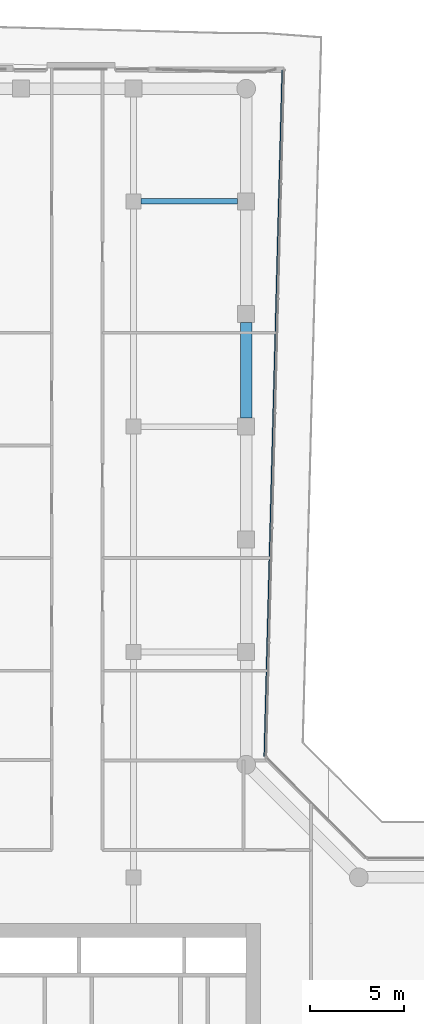
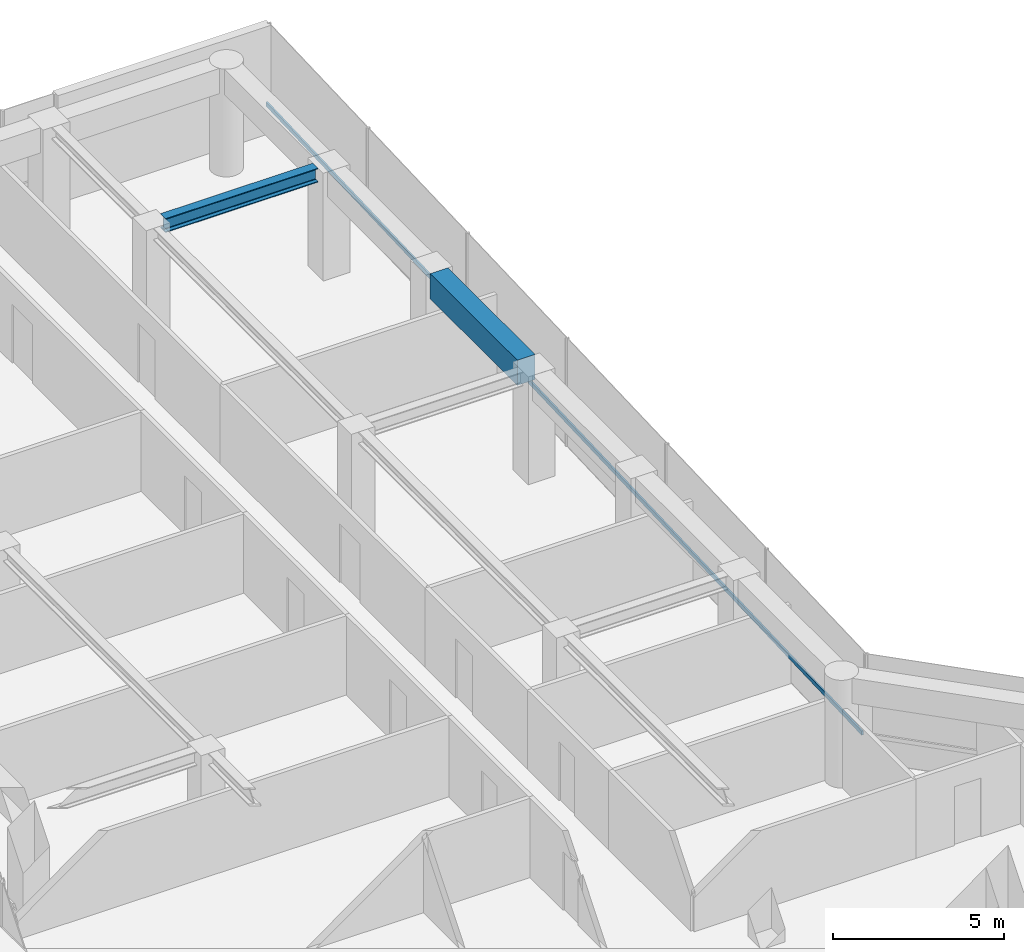
# One storey, part 14 of 23: 2 beams, 1 member, 1 element without a shape of its own.
"""IFC4 building model written with IfcOpenShell, lengths in metres."""

from ifc_helpers import new_model, si_unit, direction, frame, origin, origin_2d, place, context, subcontext, project, spatial, rectangle, i_section, extrude, material, layer, layer_set, material_profile, profile_set, type_object, element, aggregate, save


model = new_model("IFC4")

# Units and contexts
model_context = context("Model", 3, precision=1e-05, world=origin(), true_north=direction((0.0, 1.0)))
body_context = subcontext(model_context, "Body", "Model", "MODEL_VIEW")
ifc_project = project(units=[si_unit("LENGTHUNIT", "METRE"), si_unit("AREAUNIT", "SQUARE_METRE"), si_unit("VOLUMEUNIT", "CUBIC_METRE"), si_unit("PLANEANGLEUNIT", "RADIAN"), si_unit("MASSUNIT", "GRAM", prefix="KILO")], contexts=[model_context])

# Site, building, storey
site_placement = place(None, origin())
site = spatial("IfcSite", under=ifc_project, at=site_placement, CompositionType="ELEMENT")
building_placement = place(site_placement, origin())
building = spatial("IfcBuilding", under=site, at=building_placement, Name="Welwitschia Terrace Campus", CompositionType="ELEMENT")
storey_placement = place(building_placement, frame((0.0, 0.0, 117.199951171875)))
storey = spatial("IfcBuildingStorey", under=building, at=storey_placement, Name="L26", CompositionType="ELEMENT", Elevation=117.199951171875)

# Beams
ifc_material_1 = material(Name="Steel S355", Category="steel")
ifc_material_profile_1 = material_profile(ifc_material_1, i_section(OverallWidth=0.300048828125, OverallDepth=0.5, WebThickness=0.014404296875, FlangeThickness=0.028076171875, FilletRadius=0.027099609375, at=origin_2d()))
ifc_profile_set_1 = profile_set([ifc_material_profile_1], Name="Steel S355")
beam_type_1 = type_object("IfcBeamType", Name="Primary beam HE 500 B", PredefinedType="BEAM", material=ifc_profile_set_1)
beam_1_placement = place(storey_placement, frame((23.549560546875, 64.0, 3.60009765625), z_axis=(-1.0, 0.0, 0.0), x_axis=(0.0, -1.0, 0.0)))
element("IfcBeam", 1, at=beam_1_placement, inside=storey, type_object=beam_type_1, Name="Primary beam PB3", PredefinedType="BEAM", context=body_context, shape_type="SweptSolid", body=[
    extrude(i_section(OverallWidth=0.300048828125, OverallDepth=0.5, WebThickness=0.014404296875, FlangeThickness=0.028076171875, FilletRadius=0.027099609375, at=origin_2d()), origin(), (0.0, 0.0, 1.0), 5.149169921875),
])
ifc_material_2 = material(Name="Concrete C60/75", Category="concrete")
ifc_material_profile_2 = material_profile(ifc_material_2, rectangle(XDim=0.60009765625, YDim=0.89990234375, at=origin_2d()))
ifc_profile_set_2 = profile_set([ifc_material_profile_2], Name="Concrete C60/75")
beam_type_2 = type_object("IfcBeamType", Name="Ring spandrel 600x900", PredefinedType="SPANDREL", material=ifc_profile_set_2)
beam_2_placement = place(storey_placement, frame((24.0, 52.450439453125, 3.400146484375), z_axis=(0.0, 1.0, 0.0), x_axis=(-1.0, 0.0, 0.0)))
element("IfcBeam", 2, at=beam_2_placement, inside=storey, type_object=beam_type_2, Name="Spandrel SP2", PredefinedType="SPANDREL", context=body_context, shape_type="SweptSolid", body=[
    extrude(rectangle(XDim=0.60009765625, YDim=0.89990234375, at=origin_2d()), origin(), (0.0, 0.0, 1.0), 5.09912109375),
])

# Curtain wall, member
ifc_material_3 = material(Name="Bronze anodised aluminium", Category="aluminium")
ifc_layer = layer(ifc_material_3, 0.1201171875)
ifc_layer_set = layer_set([ifc_layer], Name="Bronze anodised aluminium")
curtain_wall_type = type_object("IfcCurtainWallType", Name="Curtain wall CW2 tower 6000", PredefinedType="NOTDEFINED", material=ifc_layer_set)
curtain_wall_placement = place(storey_placement, origin())
curtain_wall = element("IfcCurtainWall", 3, at=curtain_wall_placement, inside=storey, type_object=curtain_wall_type, Name="CW L26.10.0", PredefinedType="NOTDEFINED")
ifc_material_4 = material(Name="Bronze anodised aluminium", Category="aluminium")
ifc_material_profile_3 = material_profile(ifc_material_4, rectangle(XDim=0.06005859375, YDim=0.14990234375, at=origin_2d()))
ifc_profile_set_3 = profile_set([ifc_material_profile_3], Name="Bronze anodised aluminium")
member_type = type_object("IfcMemberType", Name="Transom 60x150", PredefinedType="USERDEFINED", material=ifc_profile_set_3)
member_placement = place(storey_placement, frame((24.97412109375, 34.456298828125, 1.0), z_axis=(0.026179430951, 0.999657259962, 0.0), x_axis=(-0.999657259962, 0.026179430951, 0.0)))
member = element("IfcMember", 4, at=member_placement, type_object=member_type, Name="Transom L26.10.0", ObjectType="TRANSOM", PredefinedType="USERDEFINED", context=body_context, shape_type="SweptSolid", body=[
    extrude(rectangle(XDim=0.06005859375, YDim=0.14990234375, at=origin_2d()), origin(), (0.0, 0.0, 1.0), 36.528564453125),
])
aggregate(curtain_wall, [member])

save(model, "model.ifc")
